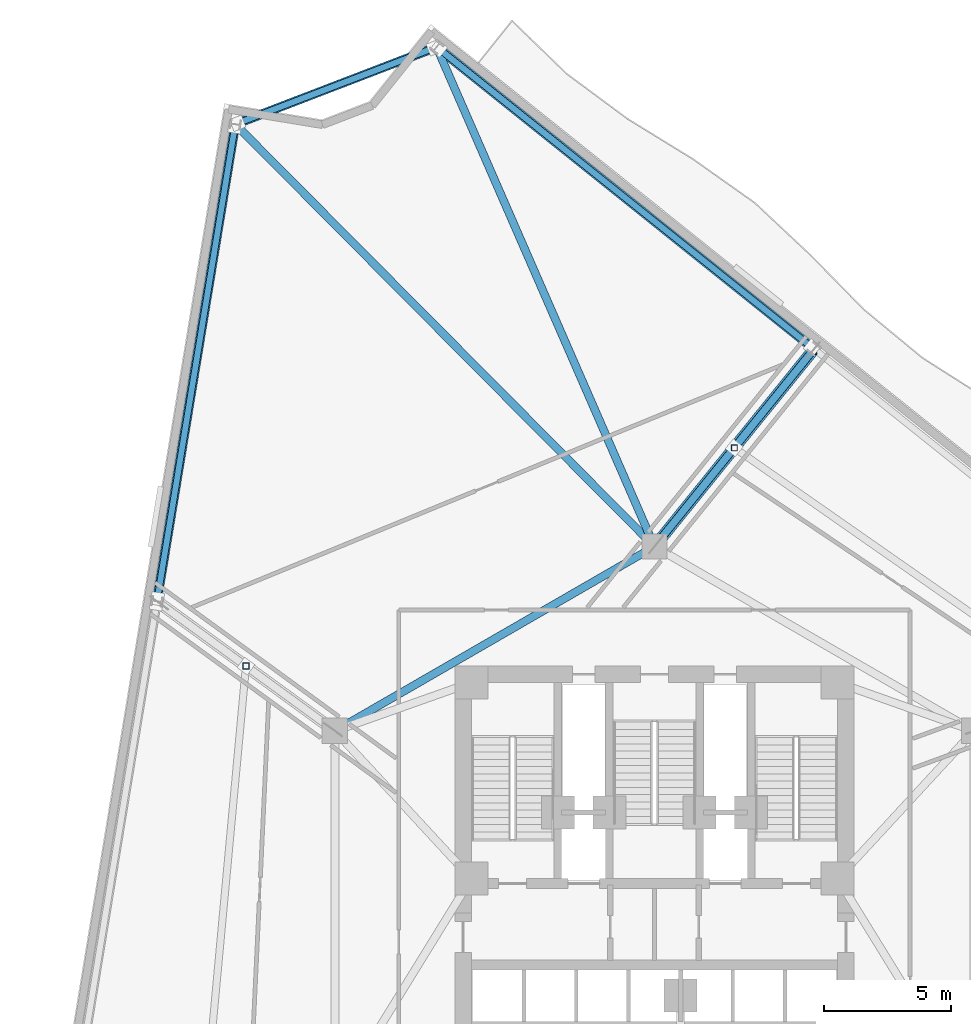
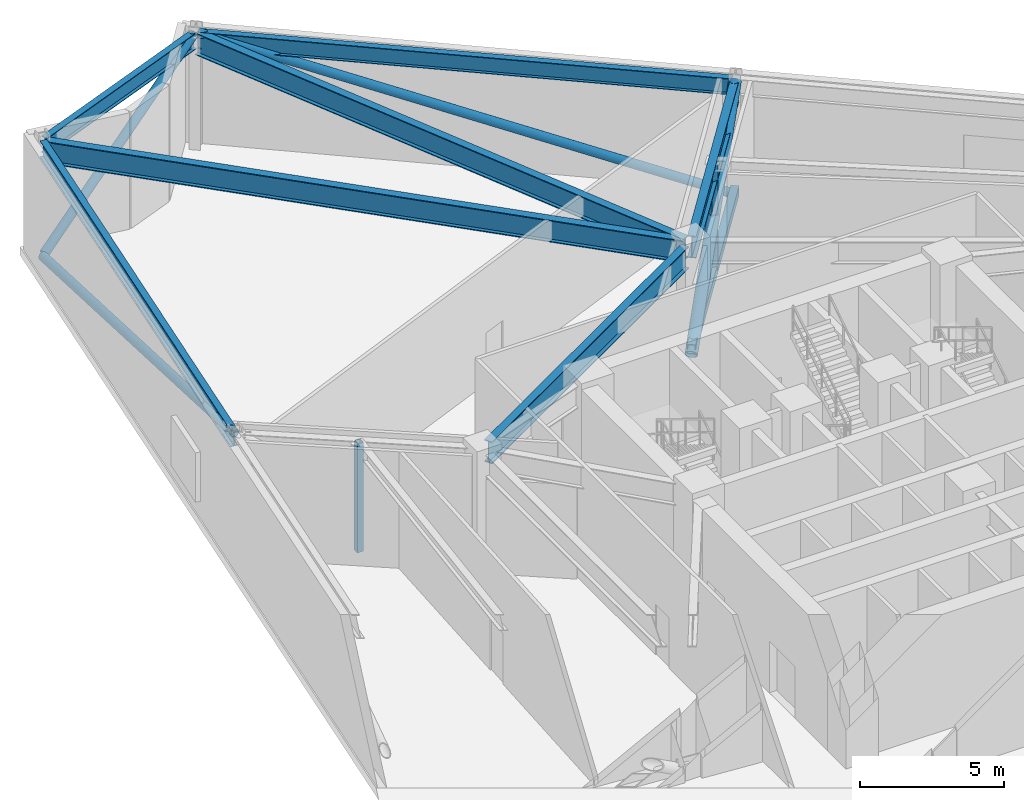
# One storey, part 6 of 18: 7 beams, 7 members.
"""IFC4 building model written with IfcOpenShell, lengths in metres."""

import ifcopenshell
import ifcopenshell.guid

model = None  # the IFC model being written
_history = None  # IfcOwnerHistory: only IFC2X3 demands one
_inside = {}  # id of a spatial element -> (the spatial element, [elements in it])
_under = {}  # id of a project, library or spatial element -> (it, [spatial elements below it])
_declared = {}  # id of a project -> (the project, [libraries it declares])
_typed = {}  # id of a type object -> (the type object, [elements of that type])
_made_of = {}  # id of a material, layer set ... -> (it, [elements and type objects made of it])


def new_model(schema):
    """Start an empty IFC model of exactly this schema.

    Asked for "IFC4X3", IfcOpenShell would pick the latest addendum, in which some entities
    have other attributes; the version numbers below select the first issue.
    IFC2X3 requires an IfcOwnerHistory on every rooted entity: one is made here for all.
    """
    global model, _history
    if schema == "IFC4X3":
        model = ifcopenshell.file(schema_version=(4, 3, 0, 0))
    else:
        model = ifcopenshell.file(schema=schema)
    _inside.clear()
    _under.clear()
    _declared.clear()
    _typed.clear()
    _made_of.clear()
    _history = None
    if model.schema == "IFC2X3":
        org = make("IfcOrganization", Name="unknown")
        user = make(
            "IfcPersonAndOrganization",
            ThePerson=make("IfcPerson", FamilyName="unknown"),
            TheOrganization=org,
        )
        app = make(
            "IfcApplication",
            ApplicationDeveloper=org,
            Version="unknown",
            ApplicationFullName="unknown",
            ApplicationIdentifier="unknown",
        )
        _history = make(
            "IfcOwnerHistory",
            OwningUser=user,
            OwningApplication=app,
            ChangeAction="ADDED",
            CreationDate=0,
        )
    return model


def make(cls, **values):
    """One entity of the class cls with the attributes given. An attribute that is None is left unset."""
    return model.create_entity(
        cls, **{name: value for name, value in values.items() if value is not None}
    )


def rooted(cls, **values):
    """An entity with a GlobalId (a new one), such as an element, a storey or a relation."""
    return make(cls, GlobalId=ifcopenshell.guid.new(), OwnerHistory=_history, **values)


def si_unit(unit_type, name, prefix=None):
    """IfcSIUnit, for example si_unit("LENGTHUNIT", "METRE", prefix="MILLI")."""
    return make("IfcSIUnit", UnitType=unit_type, Prefix=prefix, Name=name)


def assignment(units):
    """IfcUnitAssignment: the units of a project."""
    return None if units is None else make("IfcUnitAssignment", Units=units)


def point(xyz):
    """IfcCartesianPoint."""
    return None if xyz is None else make("IfcCartesianPoint", Coordinates=xyz)


def direction(xyz):
    """IfcDirection."""
    return None if xyz is None else make("IfcDirection", DirectionRatios=xyz)


def frame(location, z_axis=None, x_axis=None):
    """IfcAxis2Placement3D, a coordinate frame: its origin and axes. An axis left out is left unset."""
    return make(
        "IfcAxis2Placement3D",
        Location=point(location),
        Axis=direction(z_axis),
        RefDirection=direction(x_axis),
    )


def frame_2d(location, x_axis=None):
    """IfcAxis2Placement2D, a coordinate frame in the plane: its origin and x axis."""
    return make(
        "IfcAxis2Placement2D", Location=point(location), RefDirection=direction(x_axis)
    )


def origin():
    """The frame at (0, 0, 0) with its axes left unset."""
    return frame((0.0, 0.0, 0.0))


def origin_2d():
    """The frame at (0, 0) in the plane with its x axis left unset."""
    return frame_2d((0.0, 0.0))


def place(relative_to, where):
    """IfcLocalPlacement: puts the frame where relative to a parent placement (None: the world)."""
    return make(
        "IfcLocalPlacement", PlacementRelTo=relative_to, RelativePlacement=where
    )


def context(
    kind, dimensions, precision=None, world=None, true_north=None, identifier=None
):
    """IfcGeometricRepresentationContext, for example the 3D "Model" context."""
    return make(
        "IfcGeometricRepresentationContext",
        ContextIdentifier=identifier,
        ContextType=kind,
        CoordinateSpaceDimension=dimensions,
        Precision=precision,
        WorldCoordinateSystem=world,
        TrueNorth=true_north,
    )


def subcontext(parent, identifier, kind, view, scale=None):
    """IfcGeometricRepresentationSubContext, for example "Body" below "Model"."""
    return make(
        "IfcGeometricRepresentationSubContext",
        ContextIdentifier=identifier,
        ContextType=kind,
        ParentContext=parent,
        TargetScale=scale,
        TargetView=view,
    )


def project(units=None, contexts=None):
    """IfcProject with its units and contexts."""
    return rooted(
        "IfcProject",
        Name="project",
        RepresentationContexts=contexts,
        UnitsInContext=assignment(units),
    )


def spatial(cls, under=None, at=None, **own):
    """A site, building, storey or space (cls), placed at a placement, below another one or the project."""
    s = rooted(cls, ObjectPlacement=at, **own)
    if under is not None:
        _under.setdefault(under.id(), (under, []))[1].append(s)
    return s


def profile(cls, at=None, kind="AREA", **sizes):
    """A parametric profile (cls). Its sizes go by their IFC names, for example OverallWidth=200.0."""
    return make(cls, ProfileType=kind, Position=at, **sizes)


def hollow_rectangle(**sizes):
    """IfcRectangleHollowProfileDef."""
    return profile("IfcRectangleHollowProfileDef", **sizes)


def hollow_circle(**sizes):
    """IfcCircleHollowProfileDef."""
    return profile("IfcCircleHollowProfileDef", **sizes)


def i_section(**sizes):
    """IfcIShapeProfileDef."""
    return profile("IfcIShapeProfileDef", **sizes)


def extrude(swept, where, along, depth):
    """IfcExtrudedAreaSolid: the profile swept, set in the frame where, extruded along a direction by depth."""
    return make(
        "IfcExtrudedAreaSolid",
        SweptArea=swept,
        Position=where,
        ExtrudedDirection=direction(along),
        Depth=depth,
    )


def shape(context_of_items, identifier, shape_type, items):
    """IfcShapeRepresentation: the items that make up one representation, for example the "Body"."""
    return make(
        "IfcShapeRepresentation",
        ContextOfItems=context_of_items,
        RepresentationIdentifier=identifier,
        RepresentationType=shape_type,
        Items=items,
    )


def material(Name=None, Category=None):
    """IfcMaterial."""
    return make("IfcMaterial", Name=Name, Category=Category)


def material_profile(
    of_material, cross_section, Name=None, Category=None, Priority=None
):
    """IfcMaterialProfile: a cross section and its material."""
    return make(
        "IfcMaterialProfile",
        Name=Name,
        Material=of_material,
        Profile=cross_section,
        Priority=Priority,
        Category=Category,
    )


def profile_set(profiles, Name=None, composite=None):
    """IfcMaterialProfileSet."""
    return make(
        "IfcMaterialProfileSet",
        Name=Name,
        MaterialProfiles=profiles,
        CompositeProfile=composite,
    )


def made_of(thing, what):
    """Note that an element or type object is made of a material, layer set ...; save() writes the relation."""
    if what is not None:
        _made_of.setdefault(what.id(), (what, []))[1].append(thing)
    return thing


def type_object(cls, material=None, **own):
    """A type object (cls), such as IfcWallType, which elements share."""
    return made_of(rooted(cls, **own), material)


def element(
    cls,
    number,
    at=None,
    inside=None,
    cuts=None,
    type_object=None,
    material=None,
    context=None,
    identifier="Body",
    shape_type=None,
    held_by="IfcProductDefinitionShape",
    body=None,
    shapes=None,
    **own,
):
    """One element of the class cls, such as IfcWall. Its Tag is "e" and its number.

    at: its placement. inside: the storey or other place that contains it. cuts: it is an
    opening in that element (IfcRelVoidsElement). A single representation is given by context,
    identifier, shape_type and body (its items); several are given by shapes. held_by: the class
    of the entity that holds the representations. save() writes the other relations.
    """
    e = rooted(cls, Tag="e%d" % number, ObjectPlacement=at, **own)
    if body is not None:
        shapes = [shape(context, identifier, shape_type, body)]
    if shapes is not None:
        e.Representation = make(held_by, Representations=shapes)
    if inside is not None:
        _inside.setdefault(inside.id(), (inside, []))[1].append(e)
    if cuts is not None:
        rooted(
            "IfcRelVoidsElement", RelatingBuildingElement=cuts, RelatedOpeningElement=e
        )
    if type_object is not None:
        _typed.setdefault(type_object.id(), (type_object, []))[1].append(e)
    return made_of(e, material)


def aggregate(whole, parts):
    """IfcRelAggregates: a whole, such as a stair, and the parts it consists of."""
    return rooted("IfcRelAggregates", RelatingObject=whole, RelatedObjects=parts)


def save(model, path):
    """Write the relations noted so far, then the file.

    IfcRelAggregates (storeys below a building ...), IfcRelContainedInSpatialStructure (elements
    in a storey), IfcRelDefinesByType, IfcRelAssociatesMaterial and IfcRelDeclares: one each for
    every whole, place, type object, material and project.
    """
    for whole, parts in _under.values():
        aggregate(whole, parts)
    for where, things in _inside.values():
        rooted(
            "IfcRelContainedInSpatialStructure",
            RelatedElements=things,
            RelatingStructure=where,
        )
    for kind, things in _typed.values():
        rooted("IfcRelDefinesByType", RelatedObjects=things, RelatingType=kind)
    for what, things in _made_of.values():
        rooted("IfcRelAssociatesMaterial", RelatedObjects=things, RelatingMaterial=what)
    for by, libraries in _declared.values():
        rooted("IfcRelDeclares", RelatingContext=by, RelatedDefinitions=libraries)
    model.write(path)


model = new_model("IFC4")

# Units and contexts
model_context = context("Model", 3, precision=1e-05, world=origin(), true_north=direction((0.0, 1.0)))
body_context = subcontext(model_context, "Body", "Model", "MODEL_VIEW")
ifc_project = project(units=[si_unit("LENGTHUNIT", "METRE"), si_unit("AREAUNIT", "SQUARE_METRE"), si_unit("VOLUMEUNIT", "CUBIC_METRE"), si_unit("PLANEANGLEUNIT", "RADIAN"), si_unit("MASSUNIT", "GRAM", prefix="KILO")], contexts=[model_context])

# Site, building, storey
site_placement = place(None, origin())
site = spatial("IfcSite", under=ifc_project, at=site_placement, CompositionType="ELEMENT")
building_placement = place(site_placement, origin())
building = spatial("IfcBuilding", under=site, at=building_placement, Name="Apsidion Concourse Tower", CompositionType="ELEMENT")
storey_placement = place(building_placement, frame((0.0, 0.0, 127.0)))
storey = spatial("IfcBuildingStorey", under=building, at=storey_placement, Name="L29", CompositionType="ELEMENT", Elevation=127.0)

# Beams
ifc_material_1 = material(Name="Structural steel ASTM A992 Grade 50", Category="steel")
ifc_material_profile_1 = material_profile(ifc_material_1, i_section(OverallWidth=0.31005859375, OverallDepth=0.931884765625, WebThickness=0.02099609375, FlangeThickness=0.034423828125, at=origin_2d()), Name="W36X210")
ifc_profile_set_1 = profile_set([ifc_material_profile_1], Name="Structural steel ASTM A992 Grade 50")
beam_type_1 = type_object("IfcBeamType", Name="BM-G-W36", PredefinedType="USERDEFINED", material=ifc_profile_set_1)
beam_1_placement = place(storey_placement, frame((-12.213623046875, 7.449951171875, 4.48388671875), z_axis=(0.866070471464, 0.499921932364, 0.0), x_axis=(-0.499921932364, 0.866070471464, 0.0)))
element("IfcBeam", 1, at=beam_1_placement, inside=storey, type_object=beam_type_1, Name="L29 Core Coupling Girder IC5-IC4", ObjectType="GIRDER", PredefinedType="USERDEFINED", context=body_context, shape_type="SweptSolid", body=[
    extrude(i_section(OverallWidth=0.31005859375, OverallDepth=0.931884765625, WebThickness=0.02099609375, FlangeThickness=0.034423828125, at=origin_2d()), origin(), (0.0, 0.0, 1.0), 13.702392578125),
])
beam_2_placement = place(storey_placement, frame((-0.155029296875, 14.656005859375, 4.48388671875), z_axis=(-0.704472079086, 0.709731702679, 0.0), x_axis=(-0.709731702679, -0.704472079086, 0.0)))
element("IfcBeam", 2, at=beam_2_placement, inside=storey, type_object=beam_type_1, Name="L29 Radial Floor Girder RAD-01", ObjectType="GIRDER", PredefinedType="USERDEFINED", context=body_context, shape_type="SweptSolid", body=[
    extrude(i_section(OverallWidth=0.31005859375, OverallDepth=0.931884765625, WebThickness=0.02099609375, FlangeThickness=0.034423828125, at=origin_2d()), origin(), (0.0, 0.0, 1.0), 23.069580078125),
])
beam_3_placement = place(storey_placement, frame((0.13818359375, 14.671142578125, 4.48388671875), z_axis=(0.628598256624, 0.777730179284, 0.0), x_axis=(-0.777730179284, 0.628598256624, 0.0)))
element("IfcBeam", 3, at=beam_3_placement, inside=storey, type_object=beam_type_1, Name="L29 Radial Floor Girder RAD-11", ObjectType="GIRDER", PredefinedType="USERDEFINED", context=body_context, shape_type="SweptSolid", body=[
    extrude(i_section(OverallWidth=0.31005859375, OverallDepth=0.931884765625, WebThickness=0.02099609375, FlangeThickness=0.034423828125, at=origin_2d()), origin(), (0.0, 0.0, 1.0), 9.660400390625),
])
beam_4_placement = place(storey_placement, frame((-0.087890625, 14.70166015625, 4.48388671875), z_axis=(-0.39980027304, 0.916602281078, 0.0), x_axis=(-0.916602281078, -0.39980027304, 0.0)))
element("IfcBeam", 4, at=beam_4_placement, inside=storey, type_object=beam_type_1, Name="L29 Radial Floor Girder RAD-12", ObjectType="GIRDER", PredefinedType="USERDEFINED", context=body_context, shape_type="SweptSolid", body=[
    extrude(i_section(OverallWidth=0.31005859375, OverallDepth=0.931884765625, WebThickness=0.02099609375, FlangeThickness=0.034423828125, at=origin_2d()), origin(), (0.0, 0.0, 1.0), 21.104248046875),
])
ifc_material_profile_2 = material_profile(ifc_material_1, i_section(OverallWidth=0.256103515625, OverallDepth=0.693115234375, WebThickness=0.014404296875, FlangeThickness=0.023681640625, at=origin_2d()), Name="W27X114")
ifc_profile_set_2 = profile_set([ifc_material_profile_2], Name="Structural steel ASTM A992 Grade 50")
beam_type_2 = type_object("IfcBeamType", Name="BM-SP-W27", PredefinedType="SPANDREL", material=ifc_profile_set_2)
for number, where, z_axis, x_axis, name in (
    (5, (-16.493408203125, 31.001708984375, 4.603515625), (-0.162122790078, -0.986770591849, 0.0), (0.986770591849, -0.162122790078, 0.0), "L29 Perimeter Spandrel Girder SP-01"),
    (6, (6.1953125, 22.32470703125, 4.603515625), (-0.780754805621, 0.624837525682, 0.0), (-0.624837525682, -0.780754805621, 0.0), "L29 Perimeter Spandrel Girder SP-11"),
):
    element("IfcBeam", number, at=place(storey_placement, frame(where, z_axis=z_axis, x_axis=x_axis)), inside=storey, type_object=beam_type_2, Name=name, PredefinedType="SPANDREL", context=body_context, shape_type="SweptSolid", body=[
        extrude(i_section(OverallWidth=0.256103515625, OverallDepth=0.693115234375, WebThickness=0.014404296875, FlangeThickness=0.023681640625, at=origin_2d()), origin(), (0.0, 0.0, 1.0), 18.8056640625),
    ])
beam_5_placement = place(storey_placement, frame((-8.65869140625, 34.101806640625, 4.603515625), z_axis=(-0.933572784053, -0.35838785816, 0.0), x_axis=(0.35838785816, -0.933572784053, 0.0)))
element("IfcBeam", 7, at=beam_5_placement, inside=storey, type_object=beam_type_2, Name="L29 Perimeter Spandrel Girder SP-12", PredefinedType="SPANDREL", context=body_context, shape_type="SweptSolid", body=[
    extrude(i_section(OverallWidth=0.256103515625, OverallDepth=0.693115234375, WebThickness=0.014404296875, FlangeThickness=0.023681640625, at=origin_2d()), origin(), (0.0, 0.0, 1.0), 8.274658203125),
])

# Members
ifc_material_2 = material(Name="Structural steel ASTM A500 Grade C", Category="steel")
ifc_material_profile_3 = material_profile(ifc_material_2, hollow_circle(Radius=0.177978515625, WallThickness=0.02001953125, at=origin_2d()), Name="CHS356X20")
ifc_profile_set_3 = profile_set([ifc_material_profile_3], Name="Structural steel ASTM A500 Grade C")
member_type_1 = type_object("IfcMemberType", Name="MB-BR-CHS356", PredefinedType="BRACE", material=ifc_profile_set_3)
for number, where, z_axis, x_axis, name in (
    (8, (-16.493408203125, 31.001708984375, 0.0), (-0.156985836752, -0.955504201287, 0.249734195461), (0.986770591849, -0.162122790078, 0.0), "L29 Perimeter Belt-Truss Diagonal BT-01"),
    (9, (6.1953125, 22.32470703125, 0.0), (-0.756016136217, 0.605039185835, 0.249734229499), (-0.624837525682, -0.780754805621, 0.0), "L29 Perimeter Belt-Truss Diagonal BT-11"),
):
    element("IfcMember", number, at=place(storey_placement, frame(where, z_axis=z_axis, x_axis=x_axis)), inside=storey, type_object=member_type_1, Name=name, PredefinedType="BRACE", context=body_context, shape_type="SweptSolid", body=[
        extrude(hollow_circle(Radius=0.177978515625, WallThickness=0.02001953125, at=origin_2d()), origin(), (0.0, 0.0, 1.0), 19.421142578125),
    ])
member_1_placement = place(storey_placement, frame((-16.3837890625, 31.13623046875, 0.0), z_axis=(0.805418015703, 0.309190716034, 0.505670763541), x_axis=(-0.35838785816, 0.933572784053, 0.0)))
element("IfcMember", 10, at=member_1_placement, inside=storey, type_object=member_type_1, Name="L29 Perimeter Belt-Truss Diagonal BT-12", PredefinedType="BRACE", context=body_context, shape_type="SweptSolid", body=[
    extrude(hollow_circle(Radius=0.177978515625, WallThickness=0.02001953125, at=origin_2d()), origin(), (0.0, 0.0, 1.0), 9.59130859375),
])
ifc_material_3 = material(Name="Structural steel ASTM A572 Grade 50", Category="steel")
ifc_material_profile_4 = material_profile(ifc_material_3, hollow_circle(Radius=0.228515625, WallThickness=0.02490234375, at=origin_2d()), Name="CHS457X25")
ifc_profile_set_4 = profile_set([ifc_material_profile_4], Name="Structural steel ASTM A572 Grade 50")
member_type_2 = type_object("IfcMemberType", Name="MB-BR-CHS457", PredefinedType="BRACE", material=ifc_profile_set_4)
member_2_placement = place(storey_placement, frame((0.06298828125, 14.577880859375, 0.0), z_axis=(0.563143537983, 0.696767406752, 0.444279795305), x_axis=(-0.777739337393, 0.628586925629, 0.0)))
element("IfcMember", 11, at=member_2_placement, inside=storey, type_object=member_type_2, Name="L29 Radial Outrigger Truss Diagonal OT-04", PredefinedType="BRACE", context=body_context, shape_type="SweptSolid", body=[
    extrude(hollow_circle(Radius=0.228515625, WallThickness=0.02490234375, at=origin_2d()), origin(), (0.0, 0.0, 1.0), 10.916748046875),
])
ifc_material_profile_5 = material_profile(ifc_material_2, hollow_rectangle(XDim=0.300048828125, YDim=0.39990234375, WallThickness=0.02001953125, at=origin_2d()), Name="HSS400X300X20")
ifc_profile_set_5 = profile_set([ifc_material_profile_5], Name="Structural steel ASTM A500 Grade C")
member_type_3 = type_object("IfcMemberType", Name="MB-CH-HSS400", PredefinedType="CHORD", material=ifc_profile_set_5)
member_3_placement = place(storey_placement, frame((0.06298828125, 14.577880859375, 0.219970703125), z_axis=(0.628586925629, 0.777739337393, 0.0), x_axis=(-0.777739337393, 0.628586925629, 0.0)))
element("IfcMember", 12, at=member_3_placement, inside=storey, type_object=member_type_3, Name="L29 Radial Outrigger Bottom Chord OTC-04", PredefinedType="CHORD", context=body_context, shape_type="SweptSolid", body=[
    extrude(hollow_rectangle(XDim=0.300048828125, YDim=0.39990234375, WallThickness=0.02001953125, at=origin_2d()), origin(), (0.0, 0.0, 1.0), 9.7802734375),
])
ifc_material_profile_6 = material_profile(ifc_material_2, hollow_rectangle(XDim=0.25, YDim=0.25, WallThickness=0.01611328125, at=origin_2d()), Name="HSS250X250X16")
ifc_profile_set_6 = profile_set([ifc_material_profile_6], Name="Structural steel ASTM A500 Grade C")
member_type_4 = type_object("IfcMemberType", Name="MB-ST-HSS250", PredefinedType="STRUT", material=ifc_profile_set_6)
for number, where, z_axis, x_axis, name in (
    (13, (3.13671875, 18.381103515625, 0.219970703125), (0.0, 0.0, 1.0), (1.0, 0.0, 0.0), "L29 Outrigger Truss Compression Strut OTV-04"),
    (14, (-16.05908203125, 9.798095703125, 0.219970703125), (0.0, 0.0, 1.0), (1.0, 0.0, 0.0), "L29 Outrigger Truss Compression Strut OTV-05"),
):
    element("IfcMember", number, at=place(storey_placement, frame(where, z_axis=z_axis, x_axis=x_axis)), inside=storey, type_object=member_type_4, Name=name, PredefinedType="STRUT", context=body_context, shape_type="SweptSolid", body=[
        extrude(hollow_rectangle(XDim=0.25, YDim=0.25, WallThickness=0.01611328125, at=origin_2d()), origin(), (0.0, 0.0, 1.0), 4.630126953125),
    ])

save(model, "model.ifc")
